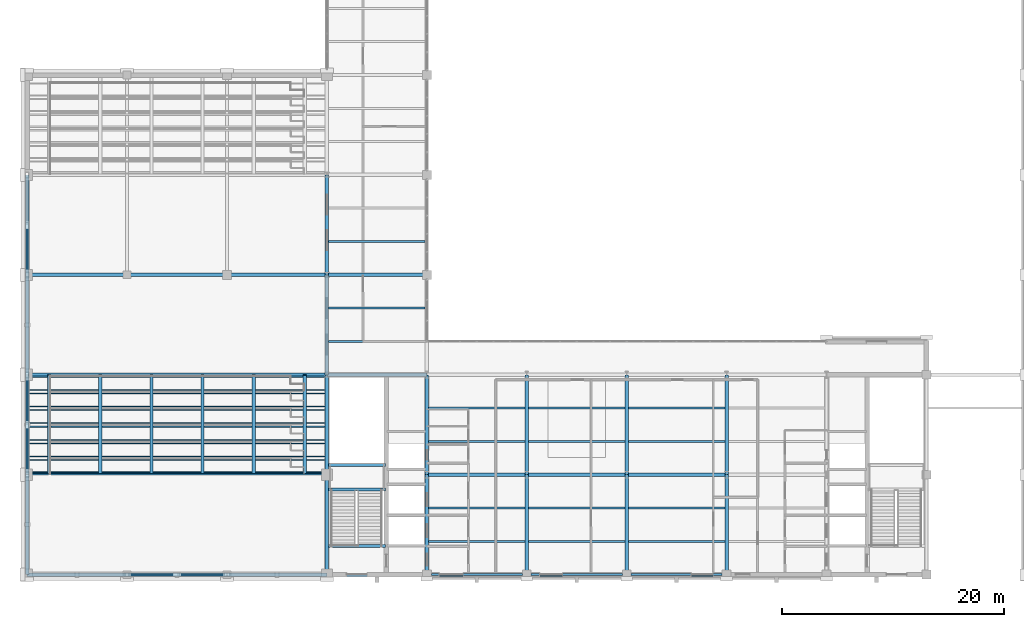
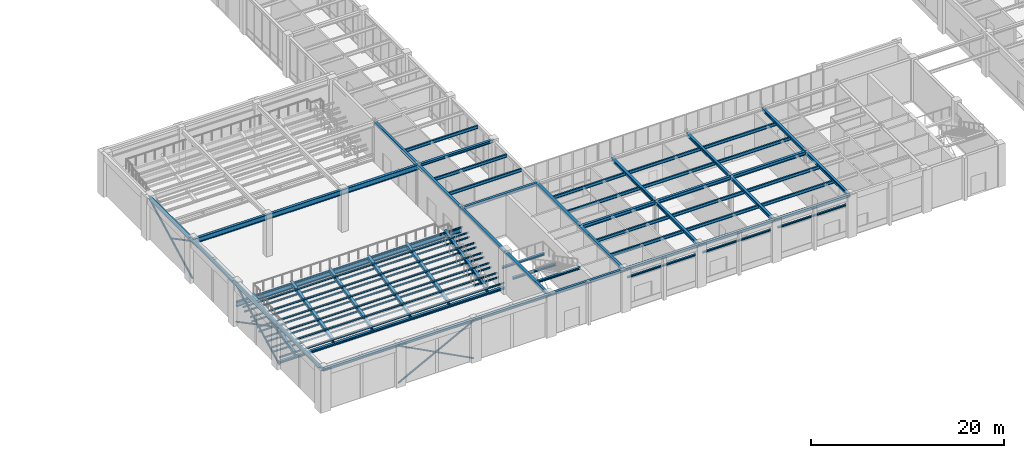
# One storey, part 15 of 77: 70 beams, 8 members.
"""IFC4 building model written with IfcOpenShell, lengths in metres."""

from ifc_helpers import new_model, si_unit, direction, frame, origin, origin_2d, place, context, subcontext, project, spatial, hollow_circle, i_section, extrude, material, material_profile, profile_set, type_object, element, save


model = new_model("IFC4")

# Units and contexts
model_context = context("Model", 3, precision=1e-05, world=origin(), true_north=direction((0.0, 1.0)))
body_context = subcontext(model_context, "Body", "Model", "MODEL_VIEW")
ifc_project = project(units=[si_unit("LENGTHUNIT", "METRE"), si_unit("AREAUNIT", "SQUARE_METRE"), si_unit("VOLUMEUNIT", "CUBIC_METRE"), si_unit("PLANEANGLEUNIT", "RADIAN"), si_unit("MASSUNIT", "GRAM", prefix="KILO")], contexts=[model_context])

# Site, building, storey
site_placement = place(None, origin())
site = spatial("IfcSite", under=ifc_project, at=site_placement, CompositionType="ELEMENT")
building_placement = place(site_placement, origin())
building = spatial("IfcBuilding", under=site, at=building_placement, Name="Lykobir Media Centre", CompositionType="ELEMENT")
storey_placement = place(building_placement, origin())
storey = spatial("IfcBuildingStorey", under=building, at=storey_placement, Name="L00", CompositionType="ELEMENT", Elevation=0.0)

# Beams
ifc_material = material(Name="Steel S355", Category="steel")
ifc_material_profile_1 = material_profile(ifc_material, i_section(OverallWidth=0.300048828125, OverallDepth=0.2900390625, WebThickness=0.008544921875, FlangeThickness=0.013916015625, at=origin_2d()), Name="HEA 300")
ifc_profile_set_1 = profile_set([ifc_material_profile_1], Name="Steel S355")
beam_type_1 = type_object("IfcBeamType", Name="BM-HEA300", PredefinedType="BEAM", material=ifc_profile_set_1)
beam_1_placement = place(storey_placement, frame((0.0, 9.139892578125, 0.36865234375), z_axis=(1.0, 0.0, 0.0), x_axis=(0.0, 1.0, 0.0)))
element("IfcBeam", 1, at=beam_1_placement, inside=storey, type_object=beam_type_1, Name="Beam BM-L00-0000-0091-0270-0091-37", PredefinedType="BEAM", context=body_context, shape_type="SweptSolid", body=[
    extrude(i_section(OverallWidth=0.300048828125, OverallDepth=0.2900390625, WebThickness=0.008544921875, FlangeThickness=0.013916015625, at=origin_2d()), origin(), (0.0, 0.0, 1.0), 27.0),
])
ifc_material_profile_2 = material_profile(ifc_material, i_section(OverallWidth=0.300048828125, OverallDepth=0.389892578125, WebThickness=0.010986328125, FlangeThickness=0.01904296875, at=origin_2d()), Name="HEA 400")
ifc_profile_set_2 = profile_set([ifc_material_profile_2], Name="Steel S355")
beam_type_2 = type_object("IfcBeamType", Name="BM-HEA400", PredefinedType="BEAM", material=ifc_profile_set_2)
for number, where, z_axis, x_axis, name in (
    (2, (36.0, 0.0, 4.965087890625), (0.0, 1.0, 0.0), (-1.0, 0.0, 0.0), "Beam BM-L00-0360-0000-0360-0090-496"),
    (3, (36.0, 9.0, 4.965087890625), (0.0, 1.0, 0.0), (-1.0, 0.0, 0.0), "Beam BM-L00-0360-0090-0360-0180-496"),
    (4, (45.0, 0.0, 4.965087890625), (0.0, 1.0, 0.0), (-1.0, 0.0, 0.0), "Beam BM-L00-0450-0000-0450-0090-496"),
    (5, (45.0, 9.0, 4.965087890625), (0.0, 1.0, 0.0), (-1.0, 0.0, 0.0), "Beam BM-L00-0450-0090-0450-0180-496"),
    (6, (54.0, 0.0, 4.965087890625), (0.0, 1.0, 0.0), (-1.0, 0.0, 0.0), "Beam BM-L00-0540-0000-0540-0090-496"),
    (7, (54.0, 9.0, 4.965087890625), (0.0, 1.0, 0.0), (-1.0, 0.0, 0.0), "Beam BM-L00-0540-0090-0540-0180-496"),
    (8, (63.0, 0.0, 4.965087890625), (0.0, 1.0, 0.0), (-1.0, 0.0, 0.0), "Beam BM-L00-0630-0000-0630-0090-496"),
    (9, (63.0, 9.0, 4.965087890625), (0.0, 1.0, 0.0), (-1.0, 0.0, 0.0), "Beam BM-L00-0630-0090-0630-0180-496"),
):
    element("IfcBeam", number, at=place(storey_placement, frame(where, z_axis=z_axis, x_axis=x_axis)), inside=storey, type_object=beam_type_2, Name=name, PredefinedType="BEAM", context=body_context, shape_type="SweptSolid", body=[
        extrude(i_section(OverallWidth=0.300048828125, OverallDepth=0.389892578125, WebThickness=0.010986328125, FlangeThickness=0.01904296875, at=origin_2d()), origin(), (0.0, 0.0, 1.0), 9.0),
    ])
ifc_material_profile_3 = material_profile(ifc_material, i_section(OverallWidth=0.300048828125, OverallDepth=0.43994140625, WebThickness=0.011474609375, FlangeThickness=0.02099609375, at=origin_2d()), Name="HEA 450")
ifc_profile_set_3 = profile_set([ifc_material_profile_3], Name="Steel S355")
beam_type_3 = type_object("IfcBeamType", Name="BM-HEA450", PredefinedType="BEAM", material=ifc_profile_set_3)
for number, where, z_axis, x_axis, name in (
    (10, (36.0, 9.0, 4.93994140625), (1.0, 0.0, 0.0), (0.0, 1.0, 0.0), "Beam BM-L00-0360-0090-0450-0090-494"),
    (11, (45.0, 9.0, 4.93994140625), (1.0, 0.0, 0.0), (0.0, 1.0, 0.0), "Beam BM-L00-0450-0090-0540-0090-494"),
    (12, (54.0, 9.0, 4.93994140625), (1.0, 0.0, 0.0), (0.0, 1.0, 0.0), "Beam BM-L00-0540-0090-0630-0090-494"),
):
    element("IfcBeam", number, at=place(storey_placement, frame(where, z_axis=z_axis, x_axis=x_axis)), inside=storey, type_object=beam_type_3, Name=name, PredefinedType="BEAM", context=body_context, shape_type="SweptSolid", body=[
        extrude(i_section(OverallWidth=0.300048828125, OverallDepth=0.43994140625, WebThickness=0.011474609375, FlangeThickness=0.02099609375, at=origin_2d()), origin(), (0.0, 0.0, 1.0), 9.0),
    ])
ifc_material_profile_4 = material_profile(ifc_material, i_section(OverallWidth=0.300048828125, OverallDepth=0.60009765625, WebThickness=0.015380859375, FlangeThickness=0.030029296875, at=origin_2d()), Name="HEB 600")
ifc_profile_set_4 = profile_set([ifc_material_profile_4], Name="Steel S355")
beam_type_4 = type_object("IfcBeamType", Name="BM-HEB600", PredefinedType="BEAM", material=ifc_profile_set_4)
beam_2_placement = place(storey_placement, frame((0.0, 18.0, 2.340087890625), z_axis=(1.0, 0.0, 0.0), x_axis=(0.0, 1.0, 0.0)))
element("IfcBeam", 13, at=beam_2_placement, inside=storey, type_object=beam_type_4, Name="Beam BM-L00-0000-0180-0270-0180-234", PredefinedType="BEAM", context=body_context, shape_type="SweptSolid", body=[
    extrude(i_section(OverallWidth=0.300048828125, OverallDepth=0.60009765625, WebThickness=0.015380859375, FlangeThickness=0.030029296875, at=origin_2d()), origin(), (0.0, 0.0, 1.0), 27.0),
])
ifc_material_profile_5 = material_profile(ifc_material, i_section(OverallWidth=0.300048828125, OverallDepth=0.64990234375, WebThickness=0.01611328125, FlangeThickness=0.031005859375, at=origin_2d()), Name="HEB 650")
ifc_profile_set_5 = profile_set([ifc_material_profile_5], Name="Steel S355")
beam_type_5 = type_object("IfcBeamType", Name="BM-HEB650", PredefinedType="BEAM", material=ifc_profile_set_5)
beam_3_placement = place(storey_placement, frame((0.0, 27.0, 4.8349609375), z_axis=(1.0, 0.0, 0.0), x_axis=(0.0, 1.0, 0.0)))
element("IfcBeam", 14, at=beam_3_placement, inside=storey, type_object=beam_type_5, Name="Beam BM-L00-0000-0270-0270-0270-484", PredefinedType="BEAM", context=body_context, shape_type="SweptSolid", body=[
    extrude(i_section(OverallWidth=0.300048828125, OverallDepth=0.64990234375, WebThickness=0.01611328125, FlangeThickness=0.031005859375, at=origin_2d()), origin(), (0.0, 0.0, 1.0), 27.0),
])
ifc_material_profile_6 = material_profile(ifc_material, i_section(OverallWidth=0.260009765625, OverallDepth=0.25, WebThickness=0.007568359375, FlangeThickness=0.012451171875, at=origin_2d()), Name="HEA 260")
ifc_profile_set_6 = profile_set([ifc_material_profile_6], Name="Steel S355")
beam_type_6 = type_object("IfcBeamType", Name="BM-ST260", PredefinedType="BEAM", material=ifc_profile_set_6)
beam_4_placement = place(storey_placement, frame((27.1298828125, 9.8798828125, 2.3798828125), z_axis=(1.0, 0.0, 0.0), x_axis=(0.0, 1.0, 0.0)))
element("IfcBeam", 15, at=beam_4_placement, inside=storey, type_object=beam_type_6, Name="ST-1 L00 half-landing support beam", PredefinedType="BEAM", context=body_context, shape_type="SweptSolid", body=[
    extrude(i_section(OverallWidth=0.260009765625, OverallDepth=0.25, WebThickness=0.007568359375, FlangeThickness=0.012451171875, at=origin_2d()), origin(), (0.0, 0.0, 1.0), 5.14013671875),
])
ifc_material_profile_7 = material_profile(ifc_material, i_section(OverallWidth=0.280029296875, OverallDepth=0.27001953125, WebThickness=0.008056640625, FlangeThickness=0.012939453125, at=origin_2d()), Name="HEA 280")
ifc_profile_set_7 = profile_set([ifc_material_profile_7], Name="Steel S355")
beam_type_7 = type_object("IfcBeamType", Name="BM-ST280", PredefinedType="BEAM", material=ifc_profile_set_7)
for number, where, z_axis, x_axis, name in (
    (16, (27.1298828125, 2.580078125, 5.02490234375), (1.0, 0.0, 0.0), (0.0, 1.0, 0.0), "ST-1 L00 arrival trimmer beam"),
    (17, (27.1298828125, 7.679931640625, 2.3701171875), (1.0, 0.0, 0.0), (0.0, 1.0, 0.0), "ST-1 L00 mid-landing trimmer beam"),
):
    element("IfcBeam", number, at=place(storey_placement, frame(where, z_axis=z_axis, x_axis=x_axis)), inside=storey, type_object=beam_type_7, Name=name, PredefinedType="BEAM", context=body_context, shape_type="SweptSolid", body=[
        extrude(i_section(OverallWidth=0.280029296875, OverallDepth=0.27001953125, WebThickness=0.008056640625, FlangeThickness=0.012939453125, at=origin_2d()), origin(), (0.0, 0.0, 1.0), 5.14013671875),
    ])

# Members
ifc_material_profile_8 = material_profile(ifc_material, hollow_circle(Radius=0.096923828125, WallThickness=0.010009765625, at=origin_2d()), Name="CHS 193.7x10.0")
ifc_profile_set_8 = profile_set([ifc_material_profile_8], Name="Steel S355")
member_type_1 = type_object("IfcMemberType", Name="BR-CHS194-E", PredefinedType="BRACE", material=ifc_profile_set_8)
for number, where, z_axis, x_axis, name in (
    (18, (0.0, 18.0, 0.1201171875), (0.0, -0.885608106873, 0.464433290194), (1.0, 0.0, 0.0), "Diagonal brace MEM2-L00-0000-0180-0001-0000-0136-0516"),
    (19, (0.0, 13.3583984375, 2.55419921875), (0.0, -0.885587702286, 0.464472196757), (1.0, 0.0, 0.0), "Diagonal brace MEM2-L00-0000-0134-0026-0000-0090-0517"),
    (20, (0.0, 31.3583984375, 2.55419921875), (0.0, -0.885587702286, 0.464472196757), (1.0, 0.0, 0.0), "Diagonal brace MEM2-L00-0000-0314-0026-0000-0270-0529"),
    (21, (18.0, 0.0, 0.1201171875), (-0.885608106873, 0.0, 0.464433290194), (0.0, -1.0, 0.0), "Diagonal brace MEM2-L00-0180-0000-0001-0136-0000-0552"),
    (22, (13.3583984375, 0.0, 2.55419921875), (-0.885587702286, 0.0, 0.464472196757), (0.0, -1.0, 0.0), "Diagonal brace MEM2-L00-0134-0000-0026-0090-0000-0553"),
):
    element("IfcMember", number, at=place(storey_placement, frame(where, z_axis=z_axis, x_axis=x_axis)), inside=storey, type_object=member_type_1, Name=name, PredefinedType="BRACE", context=body_context, shape_type="SweptSolid", body=[
        extrude(hollow_circle(Radius=0.096923828125, WallThickness=0.010009765625, at=origin_2d()), origin(), (0.0, 0.0, 1.0), 4.92138671875),
    ])
ifc_material_profile_9 = material_profile(ifc_material, hollow_circle(Radius=0.109619140625, WallThickness=0.012451171875, at=origin_2d()), Name="CHS 219.1x12.5")
ifc_profile_set_9 = profile_set([ifc_material_profile_9], Name="Steel S355")
member_type_2 = type_object("IfcMemberType", Name="BR-CHS219-E", PredefinedType="BRACE", material=ifc_profile_set_9)
for number, where, z_axis, x_axis, name in (
    (23, (0.0, 9.0, 0.1201171875), (0.0, 0.885601493622, 0.464445900504), (-1.0, 0.0, 0.0), "Diagonal brace MEM2-L00-0000-0090-0001-0000-0180-0515"),
    (24, (0.0, 27.0, 0.1201171875), (0.0, 0.885601493622, 0.464445900504), (-1.0, 0.0, 0.0), "Diagonal brace MEM2-L00-0000-0270-0001-0000-0360-0527"),
    (25, (9.0, 0.0, 0.1201171875), (0.885601493622, 0.0, 0.464445900504), (0.0, 1.0, 0.0), "Diagonal brace MEM2-L00-0090-0000-0001-0180-0000-0551"),
):
    element("IfcMember", number, at=place(storey_placement, frame(where, z_axis=z_axis, x_axis=x_axis)), inside=storey, type_object=member_type_2, Name=name, PredefinedType="BRACE", context=body_context, shape_type="SweptSolid", body=[
        extrude(hollow_circle(Radius=0.109619140625, WallThickness=0.012451171875, at=origin_2d()), origin(), (0.0, 0.0, 1.0), 10.16259765625),
    ])

# Beams
ifc_material_profile_10 = material_profile(ifc_material, i_section(OverallWidth=0.179931640625, OverallDepth=0.39990234375, WebThickness=0.008544921875, FlangeThickness=0.013427734375, at=origin_2d()), Name="IPE 400")
ifc_profile_set_10 = profile_set([ifc_material_profile_10], Name="Steel S355")
beam_type_8 = type_object("IfcBeamType", Name="JS-IPE400", PredefinedType="JOIST", material=ifc_profile_set_10)
for number, where, z_axis, x_axis, name in (
    (26, (27.14990234375, 21.0, 4.9599609375), (1.0, 0.0, 0.0), (0.0, 1.0, 0.0), "Beam BM-L00-0272-0210-0358-0210-496"),
    (27, (27.14990234375, 24.0, 4.9599609375), (1.0, 0.0, 0.0), (0.0, 1.0, 0.0), "Beam BM-L00-0272-0240-0358-0240-496"),
    (28, (27.14990234375, 30.0, 4.9599609375), (1.0, 0.0, 0.0), (0.0, 1.0, 0.0), "Beam BM-L00-0272-0300-0358-0300-496"),
    (29, (36.14990234375, 3.0, 4.9599609375), (1.0, 0.0, 0.0), (0.0, 1.0, 0.0), "Beam BM-L00-0362-0030-0448-0030-496"),
    (30, (36.14990234375, 6.0, 4.9599609375), (1.0, 0.0, 0.0), (0.0, 1.0, 0.0), "Beam BM-L00-0362-0060-0448-0060-496"),
    (31, (36.14990234375, 12.0, 4.9599609375), (1.0, 0.0, 0.0), (0.0, 1.0, 0.0), "Beam BM-L00-0362-0120-0448-0120-496"),
    (32, (36.14990234375, 15.0, 4.9599609375), (1.0, 0.0, 0.0), (0.0, 1.0, 0.0), "Beam BM-L00-0362-0150-0448-0150-496"),
    (33, (45.14990234375, 3.0, 4.9599609375), (1.0, 0.0, 0.0), (0.0, 1.0, 0.0), "Beam BM-L00-0452-0030-0538-0030-496"),
    (34, (45.14990234375, 6.0, 4.9599609375), (1.0, 0.0, 0.0), (0.0, 1.0, 0.0), "Beam BM-L00-0452-0060-0538-0060-496"),
    (35, (45.14990234375, 12.0, 4.9599609375), (1.0, 0.0, 0.0), (0.0, 1.0, 0.0), "Beam BM-L00-0452-0120-0538-0120-496"),
    (36, (45.14990234375, 15.0, 4.9599609375), (1.0, 0.0, 0.0), (0.0, 1.0, 0.0), "Beam BM-L00-0452-0150-0538-0150-496"),
    (37, (54.14990234375, 3.0, 4.9599609375), (1.0, 0.0, 0.0), (0.0, 1.0, 0.0), "Beam BM-L00-0542-0030-0628-0030-496"),
    (38, (54.14990234375, 6.0, 4.9599609375), (1.0, 0.0, 0.0), (0.0, 1.0, 0.0), "Beam BM-L00-0542-0060-0628-0060-496"),
    (39, (54.14990234375, 12.0, 4.9599609375), (1.0, 0.0, 0.0), (0.0, 1.0, 0.0), "Beam BM-L00-0542-0120-0628-0120-496"),
    (40, (54.14990234375, 15.0, 4.9599609375), (1.0, 0.0, 0.0), (0.0, 1.0, 0.0), "Beam BM-L00-0542-0150-0628-0150-496"),
):
    element("IfcBeam", number, at=place(storey_placement, frame(where, z_axis=z_axis, x_axis=x_axis)), inside=storey, type_object=beam_type_8, Name=name, PredefinedType="JOIST", context=body_context, shape_type="SweptSolid", body=[
        extrude(i_section(OverallWidth=0.179931640625, OverallDepth=0.39990234375, WebThickness=0.008544921875, FlangeThickness=0.013427734375, at=origin_2d()), origin(), (0.0, 0.0, 1.0), 8.7001953125),
    ])
ifc_material_profile_11 = material_profile(ifc_material, i_section(OverallWidth=0.199951171875, OverallDepth=0.18994140625, WebThickness=0.006591796875, FlangeThickness=0.010009765625, at=origin_2d()), Name="HEA 200")
ifc_profile_set_11 = profile_set([ifc_material_profile_11], Name="Steel S355")
beam_type_9 = type_object("IfcBeamType", Name="LN-HEA200-E", PredefinedType="LINTEL", material=ifc_profile_set_11)
for number, where, z_axis, x_axis, name in (
    (41, (36.39990234375, 0.0, 3.89990234375), (1.0, 0.0, 0.0), (0.0, 1.0, 0.0), "Beam BM-L00-0364-0000-0446-0000-390"),
    (42, (45.39990234375, 0.0, 3.89990234375), (1.0, 0.0, 0.0), (0.0, 1.0, 0.0), "Beam BM-L00-0454-0000-0536-0000-390"),
    (43, (54.39990234375, 0.0, 3.89990234375), (1.0, 0.0, 0.0), (0.0, 1.0, 0.0), "Beam BM-L00-0544-0000-0626-0000-390"),
):
    element("IfcBeam", number, at=place(storey_placement, frame(where, z_axis=z_axis, x_axis=x_axis)), inside=storey, type_object=beam_type_9, Name=name, PredefinedType="LINTEL", context=body_context, shape_type="SweptSolid", body=[
        extrude(i_section(OverallWidth=0.199951171875, OverallDepth=0.18994140625, WebThickness=0.006591796875, FlangeThickness=0.010009765625, at=origin_2d()), origin(), (0.0, 0.0, 1.0), 8.2001953125),
    ])
ifc_material_profile_12 = material_profile(ifc_material, i_section(OverallWidth=0.300048828125, OverallDepth=0.389892578125, WebThickness=0.010986328125, FlangeThickness=0.01904296875, at=origin_2d()), Name="HEA 400")
ifc_profile_set_12 = profile_set([ifc_material_profile_12], Name="Steel S355")
beam_type_10 = type_object("IfcBeamType", Name="RK-HEA400", PredefinedType="USERDEFINED", material=ifc_profile_set_12)
for number, where, z_axis, x_axis, name in (
    (44, (2.0, 9.139892578125, 0.70361328125), (0.0, 0.972386329114, 0.233377006051), (-1.0, 0.0, 0.0), "Beam BM-L00-0020-0091-0020-0180-70"),
    (45, (6.60009765625, 9.139892578125, 0.70361328125), (0.0, 0.972386329114, 0.233377006051), (-1.0, 0.0, 0.0), "Beam BM-L00-0066-0091-0066-0180-70"),
    (46, (11.199951171875, 9.139892578125, 0.70361328125), (0.0, 0.972386329114, 0.233377006051), (-1.0, 0.0, 0.0), "Beam BM-L00-0112-0091-0112-0180-70"),
    (47, (15.800048828125, 9.139892578125, 0.70361328125), (0.0, 0.972386329114, 0.233377006051), (-1.0, 0.0, 0.0), "Beam BM-L00-0158-0091-0158-0180-70"),
    (48, (20.39990234375, 9.139892578125, 0.70361328125), (0.0, 0.972386329114, 0.233377006051), (-1.0, 0.0, 0.0), "Beam BM-L00-0204-0091-0204-0180-70"),
    (49, (25.0, 9.139892578125, 0.70361328125), (0.0, 0.972386329114, 0.233377006051), (-1.0, 0.0, 0.0), "Beam BM-L00-0250-0091-0250-0180-70"),
):
    element("IfcBeam", number, at=place(storey_placement, frame(where, z_axis=z_axis, x_axis=x_axis)), inside=storey, type_object=beam_type_10, Name=name, ObjectType="RAKER", PredefinedType="USERDEFINED", context=body_context, shape_type="SweptSolid", body=[
        extrude(i_section(OverallWidth=0.300048828125, OverallDepth=0.389892578125, WebThickness=0.010986328125, FlangeThickness=0.01904296875, at=origin_2d()), origin(), (0.0, 0.0, 1.0), 9.11181640625),
    ])
ifc_material_profile_13 = material_profile(ifc_material, i_section(OverallWidth=0.300048828125, OverallDepth=0.35009765625, WebThickness=0.010009765625, FlangeThickness=0.017578125, at=origin_2d()), Name="HEA 360")
ifc_profile_set_13 = profile_set([ifc_material_profile_13], Name="Steel S355")
beam_type_11 = type_object("IfcBeamType", Name="SP-HEA360", PredefinedType="SPANDREL", material=ifc_profile_set_13)
for number, where, z_axis, x_axis, name in (
    (50, (27.0, 18.0, 4.985107421875), (1.0, 0.0, 0.0), (0.0, 1.0, 0.0), "Beam BM-L00-0270-0180-0360-0180-499"),
    (51, (27.0, 27.0, 4.985107421875), (1.0, 0.0, 0.0), (0.0, 1.0, 0.0), "Beam BM-L00-0270-0270-0360-0270-499"),
    (52, (27.0, 0.0, 4.985107421875), (0.0, 1.0, 0.0), (-1.0, 0.0, 0.0), "Beam BM-L00-0270-0000-0270-0090-499"),
    (53, (27.0, 9.0, 4.985107421875), (0.0, 1.0, 0.0), (-1.0, 0.0, 0.0), "Beam BM-L00-0270-0090-0270-0180-499"),
    (54, (27.0, 18.0, 4.985107421875), (0.0, 1.0, 0.0), (-1.0, 0.0, 0.0), "Beam BM-L00-0270-0180-0270-0270-499"),
    (55, (27.0, 27.0, 4.985107421875), (0.0, 1.0, 0.0), (-1.0, 0.0, 0.0), "Beam BM-L00-0270-0270-0270-0360-499"),
):
    element("IfcBeam", number, at=place(storey_placement, frame(where, z_axis=z_axis, x_axis=x_axis)), inside=storey, type_object=beam_type_11, Name=name, PredefinedType="SPANDREL", context=body_context, shape_type="SweptSolid", body=[
        extrude(i_section(OverallWidth=0.300048828125, OverallDepth=0.35009765625, WebThickness=0.010009765625, FlangeThickness=0.017578125, at=origin_2d()), origin(), (0.0, 0.0, 1.0), 9.0),
    ])
ifc_material_profile_14 = material_profile(ifc_material, i_section(OverallWidth=0.300048828125, OverallDepth=0.35009765625, WebThickness=0.010009765625, FlangeThickness=0.017578125, at=origin_2d()), Name="HEA 360")
ifc_profile_set_14 = profile_set([ifc_material_profile_14], Name="Steel S355")
beam_type_12 = type_object("IfcBeamType", Name="SP-HEA360-E", PredefinedType="SPANDREL", material=ifc_profile_set_14)
for number, where, z_axis, x_axis, name in (
    (56, (0.0, 0.0, 4.97509765625), (1.0, 0.0, 0.0), (0.0, 1.0, 0.0), "Beam BM-L00-0000-0000-0090-0000-497"),
    (57, (9.0, 0.0, 4.97509765625), (1.0, 0.0, 0.0), (0.0, 1.0, 0.0), "Beam BM-L00-0090-0000-0180-0000-497"),
    (58, (18.0, 0.0, 4.97509765625), (1.0, 0.0, 0.0), (0.0, 1.0, 0.0), "Beam BM-L00-0180-0000-0270-0000-497"),
    (59, (27.0, 0.0, 4.985107421875), (1.0, 0.0, 0.0), (0.0, 1.0, 0.0), "Beam BM-L00-0270-0000-0360-0000-499"),
    (60, (36.0, 0.0, 4.985107421875), (1.0, 0.0, 0.0), (0.0, 1.0, 0.0), "Beam BM-L00-0360-0000-0450-0000-499"),
    (61, (45.0, 0.0, 4.985107421875), (1.0, 0.0, 0.0), (0.0, 1.0, 0.0), "Beam BM-L00-0450-0000-0540-0000-499"),
    (62, (54.0, 0.0, 4.985107421875), (1.0, 0.0, 0.0), (0.0, 1.0, 0.0), "Beam BM-L00-0540-0000-0630-0000-499"),
    (63, (0.0, 0.0, 4.97509765625), (0.0, 1.0, 0.0), (-1.0, 0.0, 0.0), "Beam BM-L00-0000-0000-0000-0090-497"),
    (64, (0.0, 9.0, 4.97509765625), (0.0, 1.0, 0.0), (-1.0, 0.0, 0.0), "Beam BM-L00-0000-0090-0000-0180-497"),
    (65, (0.0, 18.0, 4.97509765625), (0.0, 1.0, 0.0), (-1.0, 0.0, 0.0), "Beam BM-L00-0000-0180-0000-0270-497"),
    (66, (0.0, 27.0, 4.985107421875), (0.0, 1.0, 0.0), (-1.0, 0.0, 0.0), "Beam BM-L00-0000-0270-0000-0360-499"),
):
    element("IfcBeam", number, at=place(storey_placement, frame(where, z_axis=z_axis, x_axis=x_axis)), inside=storey, type_object=beam_type_12, Name=name, PredefinedType="SPANDREL", context=body_context, shape_type="SweptSolid", body=[
        extrude(i_section(OverallWidth=0.300048828125, OverallDepth=0.35009765625, WebThickness=0.010009765625, FlangeThickness=0.017578125, at=origin_2d()), origin(), (0.0, 0.0, 1.0), 9.0),
    ])
ifc_material_profile_15 = material_profile(ifc_material, i_section(OverallWidth=0.10009765625, OverallDepth=0.199951171875, WebThickness=0.005615234375, FlangeThickness=0.008544921875, at=origin_2d()), Name="IPE 200")
ifc_profile_set_15 = profile_set([ifc_material_profile_15], Name="Steel S355")
beam_type_13 = type_object("IfcBeamType", Name="TP-IPE200", PredefinedType="JOIST", material=ifc_profile_set_15)
for number, where, z_axis, x_axis, name in (
    (67, (0.0, 9.139892578125, 0.9599609375), (1.0, 0.0, 0.0), (0.0, 1.0, 0.0), "Beam BM-L00-0000-0091-0270-0091-96"),
    (68, (0.0, 10.320068359375, 0.9599609375), (1.0, 0.0, 0.0), (0.0, 1.0, 0.0), "Beam BM-L00-0000-0103-0270-0103-96"),
    (69, (0.0, 10.639892578125, 1.320068359375), (1.0, 0.0, 0.0), (0.0, 1.0, 0.0), "Beam BM-L00-0000-0106-0270-0106-132"),
    (70, (0.0, 11.820068359375, 1.320068359375), (1.0, 0.0, 0.0), (0.0, 1.0, 0.0), "Beam BM-L00-0000-0118-0270-0118-132"),
    (71, (0.0, 12.139892578125, 1.679931640625), (1.0, 0.0, 0.0), (0.0, 1.0, 0.0), "Beam BM-L00-0000-0121-0270-0121-168"),
    (72, (0.0, 13.320068359375, 1.679931640625), (1.0, 0.0, 0.0), (0.0, 1.0, 0.0), "Beam BM-L00-0000-0133-0270-0133-168"),
    (73, (0.0, 13.639892578125, 2.0400390625), (1.0, 0.0, 0.0), (0.0, 1.0, 0.0), "Beam BM-L00-0000-0136-0270-0136-204"),
    (74, (0.0, 14.820068359375, 2.0400390625), (1.0, 0.0, 0.0), (0.0, 1.0, 0.0), "Beam BM-L00-0000-0148-0270-0148-204"),
    (75, (0.0, 15.139892578125, 2.39990234375), (1.0, 0.0, 0.0), (0.0, 1.0, 0.0), "Beam BM-L00-0000-0151-0270-0151-240"),
    (76, (0.0, 16.320068359375, 2.39990234375), (1.0, 0.0, 0.0), (0.0, 1.0, 0.0), "Beam BM-L00-0000-0163-0270-0163-240"),
    (77, (0.0, 16.639892578125, 2.760009765625), (1.0, 0.0, 0.0), (0.0, 1.0, 0.0), "Beam BM-L00-0000-0166-0270-0166-276"),
    (78, (0.0, 17.820068359375, 2.760009765625), (1.0, 0.0, 0.0), (0.0, 1.0, 0.0), "Beam BM-L00-0000-0178-0270-0178-276"),
):
    element("IfcBeam", number, at=place(storey_placement, frame(where, z_axis=z_axis, x_axis=x_axis)), inside=storey, type_object=beam_type_13, Name=name, PredefinedType="JOIST", context=body_context, shape_type="SweptSolid", body=[
        extrude(i_section(OverallWidth=0.10009765625, OverallDepth=0.199951171875, WebThickness=0.005615234375, FlangeThickness=0.008544921875, at=origin_2d()), origin(), (0.0, 0.0, 1.0), 27.0),
    ])

save(model, "model.ifc")
